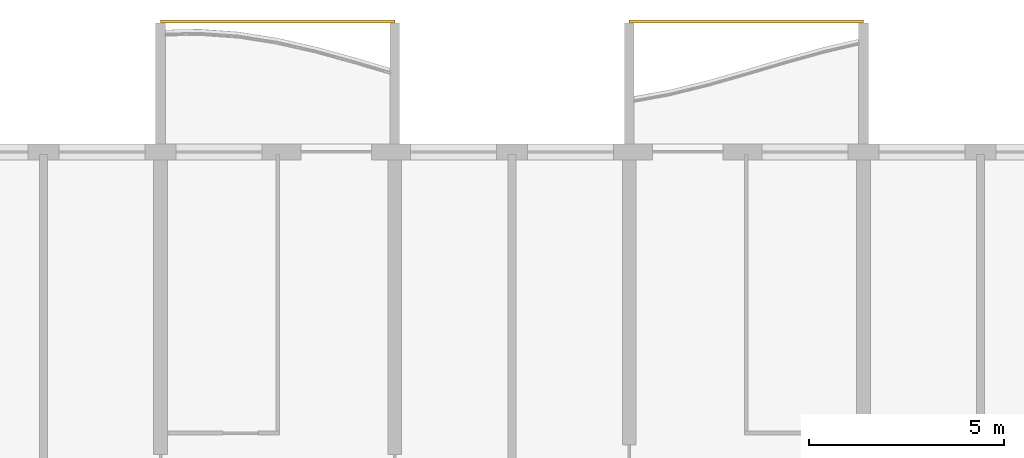
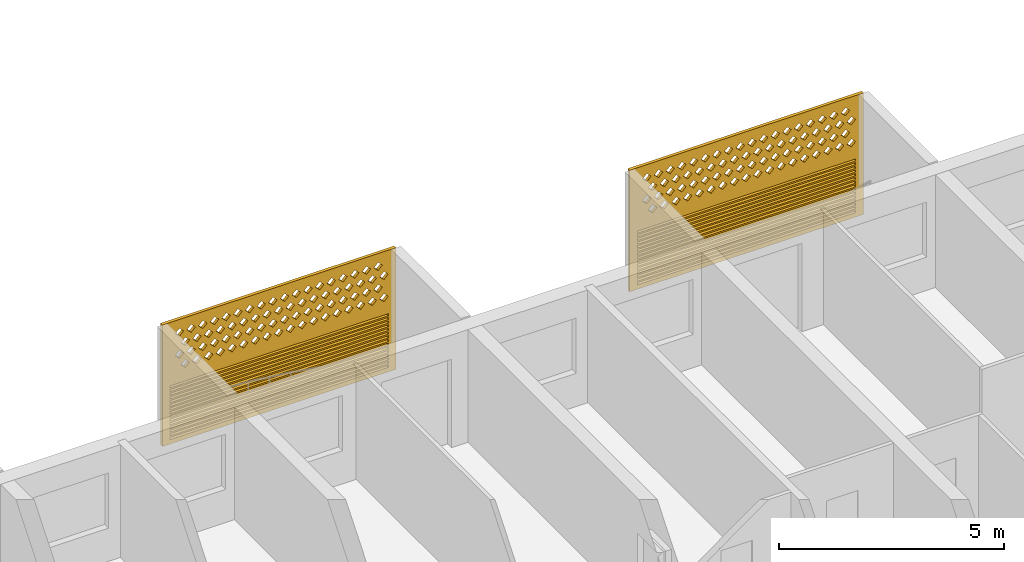
# One storey, part 26 of 31: 2 coverings.
"""IFC4 building model written with IfcOpenShell, lengths in metres."""

from ifc_helpers import new_model, si_unit, direction, frame, origin, place, context, subcontext, project, spatial, polyline, outline, extrude, source, transform, mapped, material, material_profile, profile_set, type_object, element, save


model = new_model("IFC4")

# Units and contexts
model_context = context("Model", 3, precision=1e-05, world=origin(), true_north=direction((0.0, 1.0)))
body_context = subcontext(model_context, "Body", "Model", "MODEL_VIEW")
ifc_project = project(units=[si_unit("LENGTHUNIT", "METRE"), si_unit("AREAUNIT", "SQUARE_METRE"), si_unit("VOLUMEUNIT", "CUBIC_METRE"), si_unit("PLANEANGLEUNIT", "RADIAN"), si_unit("MASSUNIT", "GRAM", prefix="KILO")], contexts=[model_context])

# Site, building, storey
site_placement = place(None, origin())
site = spatial("IfcSite", under=ifc_project, at=site_placement, CompositionType="ELEMENT")
building_placement = place(site_placement, origin())
building = spatial("IfcBuilding", under=site, at=building_placement, Name="Poui Terraces", CompositionType="ELEMENT")
storey_placement = place(building_placement, frame((0.0, 0.0, 82.800048828125)))
storey = spatial("IfcBuildingStorey", under=building, at=storey_placement, Name="L22", CompositionType="ELEMENT", Elevation=82.800048828125)

# Coverings
ifc_material = material(Name="Terracotta screen", Category="masonry")
ifc_material_profile = material_profile(ifc_material, outline(polyline([(-3.0, -1.64990234375), (3.0, -1.64990234375), (3.0, 1.64990234375), (-3.0, 1.64990234375), (-3.0, -1.64990234375)]), holes=[polyline([(-2.800048828125, 0.39990234375), (-2.68994140625, 0.2900390625), (-2.580078125, 0.39990234375), (-2.68994140625, 0.510009765625), (-2.800048828125, 0.39990234375)]), polyline([(-2.5, 0.39990234375), (-2.389892578125, 0.2900390625), (-2.280029296875, 0.39990234375), (-2.389892578125, 0.510009765625), (-2.5, 0.39990234375)]), polyline([(-2.199951171875, 0.39990234375), (-2.090087890625, 0.2900390625), (-1.97998046875, 0.39990234375), (-2.090087890625, 0.510009765625), (-2.199951171875, 0.39990234375)]), polyline([(-1.89990234375, 0.39990234375), (-1.7900390625, 0.2900390625), (-1.679931640625, 0.39990234375), (-1.7900390625, 0.510009765625), (-1.89990234375, 0.39990234375)]), polyline([(-1.60009765625, 0.39990234375), (-1.489990234375, 0.2900390625), (-1.3798828125, 0.39990234375), (-1.489990234375, 0.510009765625), (-1.60009765625, 0.39990234375)]), polyline([(-1.300048828125, 0.39990234375), (-1.18994140625, 0.2900390625), (-1.080078125, 0.39990234375), (-1.18994140625, 0.510009765625), (-1.300048828125, 0.39990234375)]), polyline([(-1.0, 0.39990234375), (-0.889892578125, 0.2900390625), (-0.780029296875, 0.39990234375), (-0.889892578125, 0.510009765625), (-1.0, 0.39990234375)]), polyline([(-0.699951171875, 0.39990234375), (-0.590087890625, 0.2900390625), (-0.47998046875, 0.39990234375), (-0.590087890625, 0.510009765625), (-0.699951171875, 0.39990234375)]), polyline([(-0.39990234375, 0.39990234375), (-0.2900390625, 0.2900390625), (-0.179931640625, 0.39990234375), (-0.2900390625, 0.510009765625), (-0.39990234375, 0.39990234375)]), polyline([(-0.10009765625, 0.39990234375), (0.010009765625, 0.2900390625), (0.1201171875, 0.39990234375), (0.010009765625, 0.510009765625), (-0.10009765625, 0.39990234375)]), polyline([(0.199951171875, 0.39990234375), (0.31005859375, 0.2900390625), (0.419921875, 0.39990234375), (0.31005859375, 0.510009765625), (0.199951171875, 0.39990234375)]), polyline([(0.5, 0.39990234375), (0.610107421875, 0.2900390625), (0.719970703125, 0.39990234375), (0.610107421875, 0.510009765625), (0.5, 0.39990234375)]), polyline([(0.800048828125, 0.39990234375), (0.909912109375, 0.2900390625), (1.02001953125, 0.39990234375), (0.909912109375, 0.510009765625), (0.800048828125, 0.39990234375)]), polyline([(1.10009765625, 0.39990234375), (1.2099609375, 0.2900390625), (1.320068359375, 0.39990234375), (1.2099609375, 0.510009765625), (1.10009765625, 0.39990234375)]), polyline([(1.39990234375, 0.39990234375), (1.510009765625, 0.2900390625), (1.6201171875, 0.39990234375), (1.510009765625, 0.510009765625), (1.39990234375, 0.39990234375)]), polyline([(1.699951171875, 0.39990234375), (1.81005859375, 0.2900390625), (1.919921875, 0.39990234375), (1.81005859375, 0.510009765625), (1.699951171875, 0.39990234375)]), polyline([(2.0, 0.39990234375), (2.110107421875, 0.2900390625), (2.219970703125, 0.39990234375), (2.110107421875, 0.510009765625), (2.0, 0.39990234375)]), polyline([(2.300048828125, 0.39990234375), (2.409912109375, 0.2900390625), (2.52001953125, 0.39990234375), (2.409912109375, 0.510009765625), (2.300048828125, 0.39990234375)]), polyline([(-2.64990234375, 0.699951171875), (-2.5400390625, 0.590087890625), (-2.429931640625, 0.699951171875), (-2.5400390625, 0.81005859375), (-2.64990234375, 0.699951171875)]), polyline([(-2.35009765625, 0.699951171875), (-2.239990234375, 0.590087890625), (-2.1298828125, 0.699951171875), (-2.239990234375, 0.81005859375), (-2.35009765625, 0.699951171875)]), polyline([(-2.050048828125, 0.699951171875), (-1.93994140625, 0.590087890625), (-1.830078125, 0.699951171875), (-1.93994140625, 0.81005859375), (-2.050048828125, 0.699951171875)]), polyline([(-1.75, 0.699951171875), (-1.639892578125, 0.590087890625), (-1.530029296875, 0.699951171875), (-1.639892578125, 0.81005859375), (-1.75, 0.699951171875)]), polyline([(-1.449951171875, 0.699951171875), (-1.340087890625, 0.590087890625), (-1.22998046875, 0.699951171875), (-1.340087890625, 0.81005859375), (-1.449951171875, 0.699951171875)]), polyline([(-1.14990234375, 0.699951171875), (-1.0400390625, 0.590087890625), (-0.929931640625, 0.699951171875), (-1.0400390625, 0.81005859375), (-1.14990234375, 0.699951171875)]), polyline([(-0.85009765625, 0.699951171875), (-0.739990234375, 0.590087890625), (-0.6298828125, 0.699951171875), (-0.739990234375, 0.81005859375), (-0.85009765625, 0.699951171875)]), polyline([(-0.550048828125, 0.699951171875), (-0.43994140625, 0.590087890625), (-0.330078125, 0.699951171875), (-0.43994140625, 0.81005859375), (-0.550048828125, 0.699951171875)]), polyline([(-0.25, 0.699951171875), (-0.139892578125, 0.590087890625), (-0.030029296875, 0.699951171875), (-0.139892578125, 0.81005859375), (-0.25, 0.699951171875)]), polyline([(0.050048828125, 0.699951171875), (0.159912109375, 0.590087890625), (0.27001953125, 0.699951171875), (0.159912109375, 0.81005859375), (0.050048828125, 0.699951171875)]), polyline([(0.35009765625, 0.699951171875), (0.4599609375, 0.590087890625), (0.570068359375, 0.699951171875), (0.4599609375, 0.81005859375), (0.35009765625, 0.699951171875)]), polyline([(0.64990234375, 0.699951171875), (0.760009765625, 0.590087890625), (0.8701171875, 0.699951171875), (0.760009765625, 0.81005859375), (0.64990234375, 0.699951171875)]), polyline([(0.949951171875, 0.699951171875), (1.06005859375, 0.590087890625), (1.169921875, 0.699951171875), (1.06005859375, 0.81005859375), (0.949951171875, 0.699951171875)]), polyline([(1.25, 0.699951171875), (1.360107421875, 0.590087890625), (1.469970703125, 0.699951171875), (1.360107421875, 0.81005859375), (1.25, 0.699951171875)]), polyline([(1.550048828125, 0.699951171875), (1.659912109375, 0.590087890625), (1.77001953125, 0.699951171875), (1.659912109375, 0.81005859375), (1.550048828125, 0.699951171875)]), polyline([(1.85009765625, 0.699951171875), (1.9599609375, 0.590087890625), (2.070068359375, 0.699951171875), (1.9599609375, 0.81005859375), (1.85009765625, 0.699951171875)]), polyline([(2.14990234375, 0.699951171875), (2.260009765625, 0.590087890625), (2.3701171875, 0.699951171875), (2.260009765625, 0.81005859375), (2.14990234375, 0.699951171875)]), polyline([(2.449951171875, 0.699951171875), (2.56005859375, 0.590087890625), (2.669921875, 0.699951171875), (2.56005859375, 0.81005859375), (2.449951171875, 0.699951171875)]), polyline([(-2.800048828125, 1.0), (-2.68994140625, 0.889892578125), (-2.580078125, 1.0), (-2.68994140625, 1.110107421875), (-2.800048828125, 1.0)]), polyline([(-2.5, 1.0), (-2.389892578125, 0.889892578125), (-2.280029296875, 1.0), (-2.389892578125, 1.110107421875), (-2.5, 1.0)]), polyline([(-2.199951171875, 1.0), (-2.090087890625, 0.889892578125), (-1.97998046875, 1.0), (-2.090087890625, 1.110107421875), (-2.199951171875, 1.0)]), polyline([(-1.89990234375, 1.0), (-1.7900390625, 0.889892578125), (-1.679931640625, 1.0), (-1.7900390625, 1.110107421875), (-1.89990234375, 1.0)]), polyline([(-1.60009765625, 1.0), (-1.489990234375, 0.889892578125), (-1.3798828125, 1.0), (-1.489990234375, 1.110107421875), (-1.60009765625, 1.0)]), polyline([(-1.300048828125, 1.0), (-1.18994140625, 0.889892578125), (-1.080078125, 1.0), (-1.18994140625, 1.110107421875), (-1.300048828125, 1.0)]), polyline([(-1.0, 1.0), (-0.889892578125, 0.889892578125), (-0.780029296875, 1.0), (-0.889892578125, 1.110107421875), (-1.0, 1.0)]), polyline([(-0.699951171875, 1.0), (-0.590087890625, 0.889892578125), (-0.47998046875, 1.0), (-0.590087890625, 1.110107421875), (-0.699951171875, 1.0)]), polyline([(-0.39990234375, 1.0), (-0.2900390625, 0.889892578125), (-0.179931640625, 1.0), (-0.2900390625, 1.110107421875), (-0.39990234375, 1.0)]), polyline([(-0.10009765625, 1.0), (0.010009765625, 0.889892578125), (0.1201171875, 1.0), (0.010009765625, 1.110107421875), (-0.10009765625, 1.0)]), polyline([(0.199951171875, 1.0), (0.31005859375, 0.889892578125), (0.419921875, 1.0), (0.31005859375, 1.110107421875), (0.199951171875, 1.0)]), polyline([(0.5, 1.0), (0.610107421875, 0.889892578125), (0.719970703125, 1.0), (0.610107421875, 1.110107421875), (0.5, 1.0)]), polyline([(0.800048828125, 1.0), (0.909912109375, 0.889892578125), (1.02001953125, 1.0), (0.909912109375, 1.110107421875), (0.800048828125, 1.0)]), polyline([(1.10009765625, 1.0), (1.2099609375, 0.889892578125), (1.320068359375, 1.0), (1.2099609375, 1.110107421875), (1.10009765625, 1.0)]), polyline([(1.39990234375, 1.0), (1.510009765625, 0.889892578125), (1.6201171875, 1.0), (1.510009765625, 1.110107421875), (1.39990234375, 1.0)]), polyline([(1.699951171875, 1.0), (1.81005859375, 0.889892578125), (1.919921875, 1.0), (1.81005859375, 1.110107421875), (1.699951171875, 1.0)]), polyline([(2.0, 1.0), (2.110107421875, 0.889892578125), (2.219970703125, 1.0), (2.110107421875, 1.110107421875), (2.0, 1.0)]), polyline([(2.300048828125, 1.0), (2.409912109375, 0.889892578125), (2.52001953125, 1.0), (2.409912109375, 1.110107421875), (2.300048828125, 1.0)]), polyline([(-2.64990234375, 1.300048828125), (-2.5400390625, 1.18994140625), (-2.429931640625, 1.300048828125), (-2.5400390625, 1.409912109375), (-2.64990234375, 1.300048828125)]), polyline([(-2.35009765625, 1.300048828125), (-2.239990234375, 1.18994140625), (-2.1298828125, 1.300048828125), (-2.239990234375, 1.409912109375), (-2.35009765625, 1.300048828125)]), polyline([(-2.050048828125, 1.300048828125), (-1.93994140625, 1.18994140625), (-1.830078125, 1.300048828125), (-1.93994140625, 1.409912109375), (-2.050048828125, 1.300048828125)]), polyline([(-1.75, 1.300048828125), (-1.639892578125, 1.18994140625), (-1.530029296875, 1.300048828125), (-1.639892578125, 1.409912109375), (-1.75, 1.300048828125)]), polyline([(-1.449951171875, 1.300048828125), (-1.340087890625, 1.18994140625), (-1.22998046875, 1.300048828125), (-1.340087890625, 1.409912109375), (-1.449951171875, 1.300048828125)]), polyline([(-1.14990234375, 1.300048828125), (-1.0400390625, 1.18994140625), (-0.929931640625, 1.300048828125), (-1.0400390625, 1.409912109375), (-1.14990234375, 1.300048828125)]), polyline([(-0.85009765625, 1.300048828125), (-0.739990234375, 1.18994140625), (-0.6298828125, 1.300048828125), (-0.739990234375, 1.409912109375), (-0.85009765625, 1.300048828125)]), polyline([(-0.550048828125, 1.300048828125), (-0.43994140625, 1.18994140625), (-0.330078125, 1.300048828125), (-0.43994140625, 1.409912109375), (-0.550048828125, 1.300048828125)]), polyline([(-0.25, 1.300048828125), (-0.139892578125, 1.18994140625), (-0.030029296875, 1.300048828125), (-0.139892578125, 1.409912109375), (-0.25, 1.300048828125)]), polyline([(0.050048828125, 1.300048828125), (0.159912109375, 1.18994140625), (0.27001953125, 1.300048828125), (0.159912109375, 1.409912109375), (0.050048828125, 1.300048828125)]), polyline([(0.35009765625, 1.300048828125), (0.4599609375, 1.18994140625), (0.570068359375, 1.300048828125), (0.4599609375, 1.409912109375), (0.35009765625, 1.300048828125)]), polyline([(0.64990234375, 1.300048828125), (0.760009765625, 1.18994140625), (0.8701171875, 1.300048828125), (0.760009765625, 1.409912109375), (0.64990234375, 1.300048828125)]), polyline([(0.949951171875, 1.300048828125), (1.06005859375, 1.18994140625), (1.169921875, 1.300048828125), (1.06005859375, 1.409912109375), (0.949951171875, 1.300048828125)]), polyline([(1.25, 1.300048828125), (1.360107421875, 1.18994140625), (1.469970703125, 1.300048828125), (1.360107421875, 1.409912109375), (1.25, 1.300048828125)]), polyline([(1.550048828125, 1.300048828125), (1.659912109375, 1.18994140625), (1.77001953125, 1.300048828125), (1.659912109375, 1.409912109375), (1.550048828125, 1.300048828125)]), polyline([(1.85009765625, 1.300048828125), (1.9599609375, 1.18994140625), (2.070068359375, 1.300048828125), (1.9599609375, 1.409912109375), (1.85009765625, 1.300048828125)]), polyline([(2.14990234375, 1.300048828125), (2.260009765625, 1.18994140625), (2.3701171875, 1.300048828125), (2.260009765625, 1.409912109375), (2.14990234375, 1.300048828125)]), polyline([(2.449951171875, 1.300048828125), (2.56005859375, 1.18994140625), (2.669921875, 1.300048828125), (2.56005859375, 1.409912109375), (2.449951171875, 1.300048828125)]), polyline([(-2.800048828125, -1.530029296875), (2.800048828125, -1.530029296875), (2.800048828125, -1.469970703125), (-2.800048828125, -1.469970703125), (-2.800048828125, -1.530029296875)]), polyline([(-2.800048828125, -1.429931640625), (2.800048828125, -1.429931640625), (2.800048828125, -1.3701171875), (-2.800048828125, -1.3701171875), (-2.800048828125, -1.429931640625)]), polyline([(-2.800048828125, -1.330078125), (2.800048828125, -1.330078125), (2.800048828125, -1.27001953125), (-2.800048828125, -1.27001953125), (-2.800048828125, -1.330078125)]), polyline([(-2.800048828125, -1.22998046875), (2.800048828125, -1.22998046875), (2.800048828125, -1.169921875), (-2.800048828125, -1.169921875), (-2.800048828125, -1.22998046875)]), polyline([(-2.800048828125, -1.1298828125), (2.800048828125, -1.1298828125), (2.800048828125, -1.070068359375), (-2.800048828125, -1.070068359375), (-2.800048828125, -1.1298828125)]), polyline([(-2.800048828125, -1.030029296875), (2.800048828125, -1.030029296875), (2.800048828125, -0.969970703125), (-2.800048828125, -0.969970703125), (-2.800048828125, -1.030029296875)]), polyline([(-2.800048828125, -0.929931640625), (2.800048828125, -0.929931640625), (2.800048828125, -0.8701171875), (-2.800048828125, -0.8701171875), (-2.800048828125, -0.929931640625)]), polyline([(-2.800048828125, -0.830078125), (2.800048828125, -0.830078125), (2.800048828125, -0.77001953125), (-2.800048828125, -0.77001953125), (-2.800048828125, -0.830078125)]), polyline([(-2.800048828125, -0.72998046875), (2.800048828125, -0.72998046875), (2.800048828125, -0.669921875), (-2.800048828125, -0.669921875), (-2.800048828125, -0.72998046875)]), polyline([(-2.800048828125, -0.6298828125), (2.800048828125, -0.6298828125), (2.800048828125, -0.570068359375), (-2.800048828125, -0.570068359375), (-2.800048828125, -0.6298828125)]), polyline([(-2.800048828125, -0.530029296875), (2.800048828125, -0.530029296875), (2.800048828125, -0.469970703125), (-2.800048828125, -0.469970703125), (-2.800048828125, -0.530029296875)]), polyline([(-2.800048828125, -0.429931640625), (2.800048828125, -0.429931640625), (2.800048828125, -0.3701171875), (-2.800048828125, -0.3701171875), (-2.800048828125, -0.429931640625)]), polyline([(-2.800048828125, -0.330078125), (2.800048828125, -0.330078125), (2.800048828125, -0.27001953125), (-2.800048828125, -0.27001953125), (-2.800048828125, -0.330078125)]), polyline([(-2.800048828125, -0.22998046875), (2.800048828125, -0.22998046875), (2.800048828125, -0.169921875), (-2.800048828125, -0.169921875), (-2.800048828125, -0.22998046875)]), polyline([(-2.800048828125, -0.1298828125), (2.800048828125, -0.1298828125), (2.800048828125, -0.070068359375), (-2.800048828125, -0.070068359375), (-2.800048828125, -0.1298828125)])]), Name="TERRACOTTA SCREEN AND JALOUSIE LOUVRE 6000X3300")
ifc_profile_set = profile_set([ifc_material_profile], Name="Terracotta screen")
covering_type = type_object("IfcCoveringType", Name="TERRACOTTA SCREEN AND JALOUSIE LOUVRE 6000X3300", PredefinedType="CLADDING", material=ifc_profile_set)
shared_shape = source(origin(), body_context, "Body", "SweptSolid", [
    extrude(outline(polyline([(-3.0, -1.64990234375), (3.0, -1.64990234375), (3.0, 1.64990234375), (-3.0, 1.64990234375), (-3.0, -1.64990234375)]), holes=[polyline([(-2.800048828125, 0.39990234375), (-2.68994140625, 0.2900390625), (-2.580078125, 0.39990234375), (-2.68994140625, 0.510009765625), (-2.800048828125, 0.39990234375)]), polyline([(-2.5, 0.39990234375), (-2.389892578125, 0.2900390625), (-2.280029296875, 0.39990234375), (-2.389892578125, 0.510009765625), (-2.5, 0.39990234375)]), polyline([(-2.199951171875, 0.39990234375), (-2.090087890625, 0.2900390625), (-1.97998046875, 0.39990234375), (-2.090087890625, 0.510009765625), (-2.199951171875, 0.39990234375)]), polyline([(-1.89990234375, 0.39990234375), (-1.7900390625, 0.2900390625), (-1.679931640625, 0.39990234375), (-1.7900390625, 0.510009765625), (-1.89990234375, 0.39990234375)]), polyline([(-1.60009765625, 0.39990234375), (-1.489990234375, 0.2900390625), (-1.3798828125, 0.39990234375), (-1.489990234375, 0.510009765625), (-1.60009765625, 0.39990234375)]), polyline([(-1.300048828125, 0.39990234375), (-1.18994140625, 0.2900390625), (-1.080078125, 0.39990234375), (-1.18994140625, 0.510009765625), (-1.300048828125, 0.39990234375)]), polyline([(-1.0, 0.39990234375), (-0.889892578125, 0.2900390625), (-0.780029296875, 0.39990234375), (-0.889892578125, 0.510009765625), (-1.0, 0.39990234375)]), polyline([(-0.699951171875, 0.39990234375), (-0.590087890625, 0.2900390625), (-0.47998046875, 0.39990234375), (-0.590087890625, 0.510009765625), (-0.699951171875, 0.39990234375)]), polyline([(-0.39990234375, 0.39990234375), (-0.2900390625, 0.2900390625), (-0.179931640625, 0.39990234375), (-0.2900390625, 0.510009765625), (-0.39990234375, 0.39990234375)]), polyline([(-0.10009765625, 0.39990234375), (0.010009765625, 0.2900390625), (0.1201171875, 0.39990234375), (0.010009765625, 0.510009765625), (-0.10009765625, 0.39990234375)]), polyline([(0.199951171875, 0.39990234375), (0.31005859375, 0.2900390625), (0.419921875, 0.39990234375), (0.31005859375, 0.510009765625), (0.199951171875, 0.39990234375)]), polyline([(0.5, 0.39990234375), (0.610107421875, 0.2900390625), (0.719970703125, 0.39990234375), (0.610107421875, 0.510009765625), (0.5, 0.39990234375)]), polyline([(0.800048828125, 0.39990234375), (0.909912109375, 0.2900390625), (1.02001953125, 0.39990234375), (0.909912109375, 0.510009765625), (0.800048828125, 0.39990234375)]), polyline([(1.10009765625, 0.39990234375), (1.2099609375, 0.2900390625), (1.320068359375, 0.39990234375), (1.2099609375, 0.510009765625), (1.10009765625, 0.39990234375)]), polyline([(1.39990234375, 0.39990234375), (1.510009765625, 0.2900390625), (1.6201171875, 0.39990234375), (1.510009765625, 0.510009765625), (1.39990234375, 0.39990234375)]), polyline([(1.699951171875, 0.39990234375), (1.81005859375, 0.2900390625), (1.919921875, 0.39990234375), (1.81005859375, 0.510009765625), (1.699951171875, 0.39990234375)]), polyline([(2.0, 0.39990234375), (2.110107421875, 0.2900390625), (2.219970703125, 0.39990234375), (2.110107421875, 0.510009765625), (2.0, 0.39990234375)]), polyline([(2.300048828125, 0.39990234375), (2.409912109375, 0.2900390625), (2.52001953125, 0.39990234375), (2.409912109375, 0.510009765625), (2.300048828125, 0.39990234375)]), polyline([(-2.64990234375, 0.699951171875), (-2.5400390625, 0.590087890625), (-2.429931640625, 0.699951171875), (-2.5400390625, 0.81005859375), (-2.64990234375, 0.699951171875)]), polyline([(-2.35009765625, 0.699951171875), (-2.239990234375, 0.590087890625), (-2.1298828125, 0.699951171875), (-2.239990234375, 0.81005859375), (-2.35009765625, 0.699951171875)]), polyline([(-2.050048828125, 0.699951171875), (-1.93994140625, 0.590087890625), (-1.830078125, 0.699951171875), (-1.93994140625, 0.81005859375), (-2.050048828125, 0.699951171875)]), polyline([(-1.75, 0.699951171875), (-1.639892578125, 0.590087890625), (-1.530029296875, 0.699951171875), (-1.639892578125, 0.81005859375), (-1.75, 0.699951171875)]), polyline([(-1.449951171875, 0.699951171875), (-1.340087890625, 0.590087890625), (-1.22998046875, 0.699951171875), (-1.340087890625, 0.81005859375), (-1.449951171875, 0.699951171875)]), polyline([(-1.14990234375, 0.699951171875), (-1.0400390625, 0.590087890625), (-0.929931640625, 0.699951171875), (-1.0400390625, 0.81005859375), (-1.14990234375, 0.699951171875)]), polyline([(-0.85009765625, 0.699951171875), (-0.739990234375, 0.590087890625), (-0.6298828125, 0.699951171875), (-0.739990234375, 0.81005859375), (-0.85009765625, 0.699951171875)]), polyline([(-0.550048828125, 0.699951171875), (-0.43994140625, 0.590087890625), (-0.330078125, 0.699951171875), (-0.43994140625, 0.81005859375), (-0.550048828125, 0.699951171875)]), polyline([(-0.25, 0.699951171875), (-0.139892578125, 0.590087890625), (-0.030029296875, 0.699951171875), (-0.139892578125, 0.81005859375), (-0.25, 0.699951171875)]), polyline([(0.050048828125, 0.699951171875), (0.159912109375, 0.590087890625), (0.27001953125, 0.699951171875), (0.159912109375, 0.81005859375), (0.050048828125, 0.699951171875)]), polyline([(0.35009765625, 0.699951171875), (0.4599609375, 0.590087890625), (0.570068359375, 0.699951171875), (0.4599609375, 0.81005859375), (0.35009765625, 0.699951171875)]), polyline([(0.64990234375, 0.699951171875), (0.760009765625, 0.590087890625), (0.8701171875, 0.699951171875), (0.760009765625, 0.81005859375), (0.64990234375, 0.699951171875)]), polyline([(0.949951171875, 0.699951171875), (1.06005859375, 0.590087890625), (1.169921875, 0.699951171875), (1.06005859375, 0.81005859375), (0.949951171875, 0.699951171875)]), polyline([(1.25, 0.699951171875), (1.360107421875, 0.590087890625), (1.469970703125, 0.699951171875), (1.360107421875, 0.81005859375), (1.25, 0.699951171875)]), polyline([(1.550048828125, 0.699951171875), (1.659912109375, 0.590087890625), (1.77001953125, 0.699951171875), (1.659912109375, 0.81005859375), (1.550048828125, 0.699951171875)]), polyline([(1.85009765625, 0.699951171875), (1.9599609375, 0.590087890625), (2.070068359375, 0.699951171875), (1.9599609375, 0.81005859375), (1.85009765625, 0.699951171875)]), polyline([(2.14990234375, 0.699951171875), (2.260009765625, 0.590087890625), (2.3701171875, 0.699951171875), (2.260009765625, 0.81005859375), (2.14990234375, 0.699951171875)]), polyline([(2.449951171875, 0.699951171875), (2.56005859375, 0.590087890625), (2.669921875, 0.699951171875), (2.56005859375, 0.81005859375), (2.449951171875, 0.699951171875)]), polyline([(-2.800048828125, 1.0), (-2.68994140625, 0.889892578125), (-2.580078125, 1.0), (-2.68994140625, 1.110107421875), (-2.800048828125, 1.0)]), polyline([(-2.5, 1.0), (-2.389892578125, 0.889892578125), (-2.280029296875, 1.0), (-2.389892578125, 1.110107421875), (-2.5, 1.0)]), polyline([(-2.199951171875, 1.0), (-2.090087890625, 0.889892578125), (-1.97998046875, 1.0), (-2.090087890625, 1.110107421875), (-2.199951171875, 1.0)]), polyline([(-1.89990234375, 1.0), (-1.7900390625, 0.889892578125), (-1.679931640625, 1.0), (-1.7900390625, 1.110107421875), (-1.89990234375, 1.0)]), polyline([(-1.60009765625, 1.0), (-1.489990234375, 0.889892578125), (-1.3798828125, 1.0), (-1.489990234375, 1.110107421875), (-1.60009765625, 1.0)]), polyline([(-1.300048828125, 1.0), (-1.18994140625, 0.889892578125), (-1.080078125, 1.0), (-1.18994140625, 1.110107421875), (-1.300048828125, 1.0)]), polyline([(-1.0, 1.0), (-0.889892578125, 0.889892578125), (-0.780029296875, 1.0), (-0.889892578125, 1.110107421875), (-1.0, 1.0)]), polyline([(-0.699951171875, 1.0), (-0.590087890625, 0.889892578125), (-0.47998046875, 1.0), (-0.590087890625, 1.110107421875), (-0.699951171875, 1.0)]), polyline([(-0.39990234375, 1.0), (-0.2900390625, 0.889892578125), (-0.179931640625, 1.0), (-0.2900390625, 1.110107421875), (-0.39990234375, 1.0)]), polyline([(-0.10009765625, 1.0), (0.010009765625, 0.889892578125), (0.1201171875, 1.0), (0.010009765625, 1.110107421875), (-0.10009765625, 1.0)]), polyline([(0.199951171875, 1.0), (0.31005859375, 0.889892578125), (0.419921875, 1.0), (0.31005859375, 1.110107421875), (0.199951171875, 1.0)]), polyline([(0.5, 1.0), (0.610107421875, 0.889892578125), (0.719970703125, 1.0), (0.610107421875, 1.110107421875), (0.5, 1.0)]), polyline([(0.800048828125, 1.0), (0.909912109375, 0.889892578125), (1.02001953125, 1.0), (0.909912109375, 1.110107421875), (0.800048828125, 1.0)]), polyline([(1.10009765625, 1.0), (1.2099609375, 0.889892578125), (1.320068359375, 1.0), (1.2099609375, 1.110107421875), (1.10009765625, 1.0)]), polyline([(1.39990234375, 1.0), (1.510009765625, 0.889892578125), (1.6201171875, 1.0), (1.510009765625, 1.110107421875), (1.39990234375, 1.0)]), polyline([(1.699951171875, 1.0), (1.81005859375, 0.889892578125), (1.919921875, 1.0), (1.81005859375, 1.110107421875), (1.699951171875, 1.0)]), polyline([(2.0, 1.0), (2.110107421875, 0.889892578125), (2.219970703125, 1.0), (2.110107421875, 1.110107421875), (2.0, 1.0)]), polyline([(2.300048828125, 1.0), (2.409912109375, 0.889892578125), (2.52001953125, 1.0), (2.409912109375, 1.110107421875), (2.300048828125, 1.0)]), polyline([(-2.64990234375, 1.300048828125), (-2.5400390625, 1.18994140625), (-2.429931640625, 1.300048828125), (-2.5400390625, 1.409912109375), (-2.64990234375, 1.300048828125)]), polyline([(-2.35009765625, 1.300048828125), (-2.239990234375, 1.18994140625), (-2.1298828125, 1.300048828125), (-2.239990234375, 1.409912109375), (-2.35009765625, 1.300048828125)]), polyline([(-2.050048828125, 1.300048828125), (-1.93994140625, 1.18994140625), (-1.830078125, 1.300048828125), (-1.93994140625, 1.409912109375), (-2.050048828125, 1.300048828125)]), polyline([(-1.75, 1.300048828125), (-1.639892578125, 1.18994140625), (-1.530029296875, 1.300048828125), (-1.639892578125, 1.409912109375), (-1.75, 1.300048828125)]), polyline([(-1.449951171875, 1.300048828125), (-1.340087890625, 1.18994140625), (-1.22998046875, 1.300048828125), (-1.340087890625, 1.409912109375), (-1.449951171875, 1.300048828125)]), polyline([(-1.14990234375, 1.300048828125), (-1.0400390625, 1.18994140625), (-0.929931640625, 1.300048828125), (-1.0400390625, 1.409912109375), (-1.14990234375, 1.300048828125)]), polyline([(-0.85009765625, 1.300048828125), (-0.739990234375, 1.18994140625), (-0.6298828125, 1.300048828125), (-0.739990234375, 1.409912109375), (-0.85009765625, 1.300048828125)]), polyline([(-0.550048828125, 1.300048828125), (-0.43994140625, 1.18994140625), (-0.330078125, 1.300048828125), (-0.43994140625, 1.409912109375), (-0.550048828125, 1.300048828125)]), polyline([(-0.25, 1.300048828125), (-0.139892578125, 1.18994140625), (-0.030029296875, 1.300048828125), (-0.139892578125, 1.409912109375), (-0.25, 1.300048828125)]), polyline([(0.050048828125, 1.300048828125), (0.159912109375, 1.18994140625), (0.27001953125, 1.300048828125), (0.159912109375, 1.409912109375), (0.050048828125, 1.300048828125)]), polyline([(0.35009765625, 1.300048828125), (0.4599609375, 1.18994140625), (0.570068359375, 1.300048828125), (0.4599609375, 1.409912109375), (0.35009765625, 1.300048828125)]), polyline([(0.64990234375, 1.300048828125), (0.760009765625, 1.18994140625), (0.8701171875, 1.300048828125), (0.760009765625, 1.409912109375), (0.64990234375, 1.300048828125)]), polyline([(0.949951171875, 1.300048828125), (1.06005859375, 1.18994140625), (1.169921875, 1.300048828125), (1.06005859375, 1.409912109375), (0.949951171875, 1.300048828125)]), polyline([(1.25, 1.300048828125), (1.360107421875, 1.18994140625), (1.469970703125, 1.300048828125), (1.360107421875, 1.409912109375), (1.25, 1.300048828125)]), polyline([(1.550048828125, 1.300048828125), (1.659912109375, 1.18994140625), (1.77001953125, 1.300048828125), (1.659912109375, 1.409912109375), (1.550048828125, 1.300048828125)]), polyline([(1.85009765625, 1.300048828125), (1.9599609375, 1.18994140625), (2.070068359375, 1.300048828125), (1.9599609375, 1.409912109375), (1.85009765625, 1.300048828125)]), polyline([(2.14990234375, 1.300048828125), (2.260009765625, 1.18994140625), (2.3701171875, 1.300048828125), (2.260009765625, 1.409912109375), (2.14990234375, 1.300048828125)]), polyline([(2.449951171875, 1.300048828125), (2.56005859375, 1.18994140625), (2.669921875, 1.300048828125), (2.56005859375, 1.409912109375), (2.449951171875, 1.300048828125)]), polyline([(-2.800048828125, -1.530029296875), (2.800048828125, -1.530029296875), (2.800048828125, -1.469970703125), (-2.800048828125, -1.469970703125), (-2.800048828125, -1.530029296875)]), polyline([(-2.800048828125, -1.429931640625), (2.800048828125, -1.429931640625), (2.800048828125, -1.3701171875), (-2.800048828125, -1.3701171875), (-2.800048828125, -1.429931640625)]), polyline([(-2.800048828125, -1.330078125), (2.800048828125, -1.330078125), (2.800048828125, -1.27001953125), (-2.800048828125, -1.27001953125), (-2.800048828125, -1.330078125)]), polyline([(-2.800048828125, -1.22998046875), (2.800048828125, -1.22998046875), (2.800048828125, -1.169921875), (-2.800048828125, -1.169921875), (-2.800048828125, -1.22998046875)]), polyline([(-2.800048828125, -1.1298828125), (2.800048828125, -1.1298828125), (2.800048828125, -1.070068359375), (-2.800048828125, -1.070068359375), (-2.800048828125, -1.1298828125)]), polyline([(-2.800048828125, -1.030029296875), (2.800048828125, -1.030029296875), (2.800048828125, -0.969970703125), (-2.800048828125, -0.969970703125), (-2.800048828125, -1.030029296875)]), polyline([(-2.800048828125, -0.929931640625), (2.800048828125, -0.929931640625), (2.800048828125, -0.8701171875), (-2.800048828125, -0.8701171875), (-2.800048828125, -0.929931640625)]), polyline([(-2.800048828125, -0.830078125), (2.800048828125, -0.830078125), (2.800048828125, -0.77001953125), (-2.800048828125, -0.77001953125), (-2.800048828125, -0.830078125)]), polyline([(-2.800048828125, -0.72998046875), (2.800048828125, -0.72998046875), (2.800048828125, -0.669921875), (-2.800048828125, -0.669921875), (-2.800048828125, -0.72998046875)]), polyline([(-2.800048828125, -0.6298828125), (2.800048828125, -0.6298828125), (2.800048828125, -0.570068359375), (-2.800048828125, -0.570068359375), (-2.800048828125, -0.6298828125)]), polyline([(-2.800048828125, -0.530029296875), (2.800048828125, -0.530029296875), (2.800048828125, -0.469970703125), (-2.800048828125, -0.469970703125), (-2.800048828125, -0.530029296875)]), polyline([(-2.800048828125, -0.429931640625), (2.800048828125, -0.429931640625), (2.800048828125, -0.3701171875), (-2.800048828125, -0.3701171875), (-2.800048828125, -0.429931640625)]), polyline([(-2.800048828125, -0.330078125), (2.800048828125, -0.330078125), (2.800048828125, -0.27001953125), (-2.800048828125, -0.27001953125), (-2.800048828125, -0.330078125)]), polyline([(-2.800048828125, -0.22998046875), (2.800048828125, -0.22998046875), (2.800048828125, -0.169921875), (-2.800048828125, -0.169921875), (-2.800048828125, -0.22998046875)]), polyline([(-2.800048828125, -0.1298828125), (2.800048828125, -0.1298828125), (2.800048828125, -0.070068359375), (-2.800048828125, -0.070068359375), (-2.800048828125, -0.1298828125)])]), origin(), (0.0, 0.0, 1.0), 0.080078125),
])
for number, where, z_axis, x_axis, name in (
    (1, (51.0, 46.89990234375, 1.449951171875), (0.0, 1.0, 0.0), (-1.0, 0.0, 0.0), "SOLAR SCREEN AND JALOUSIE LOUVRE"),
    (2, (63.0, 46.89990234375, 1.449951171875), (0.0, 1.0, 0.0), (-1.0, 0.0, 0.0), "SOLAR SCREEN AND JALOUSIE LOUVRE"),
):
    element("IfcCovering", number, at=place(storey_placement, frame(where, z_axis=z_axis, x_axis=x_axis)), inside=storey, type_object=covering_type, Name=name, PredefinedType="CLADDING", context=body_context, shape_type="MappedRepresentation", body=[
        mapped(shared_shape, transform((0.0, 0.0, 0.0))),
    ])

save(model, "model.ifc")
